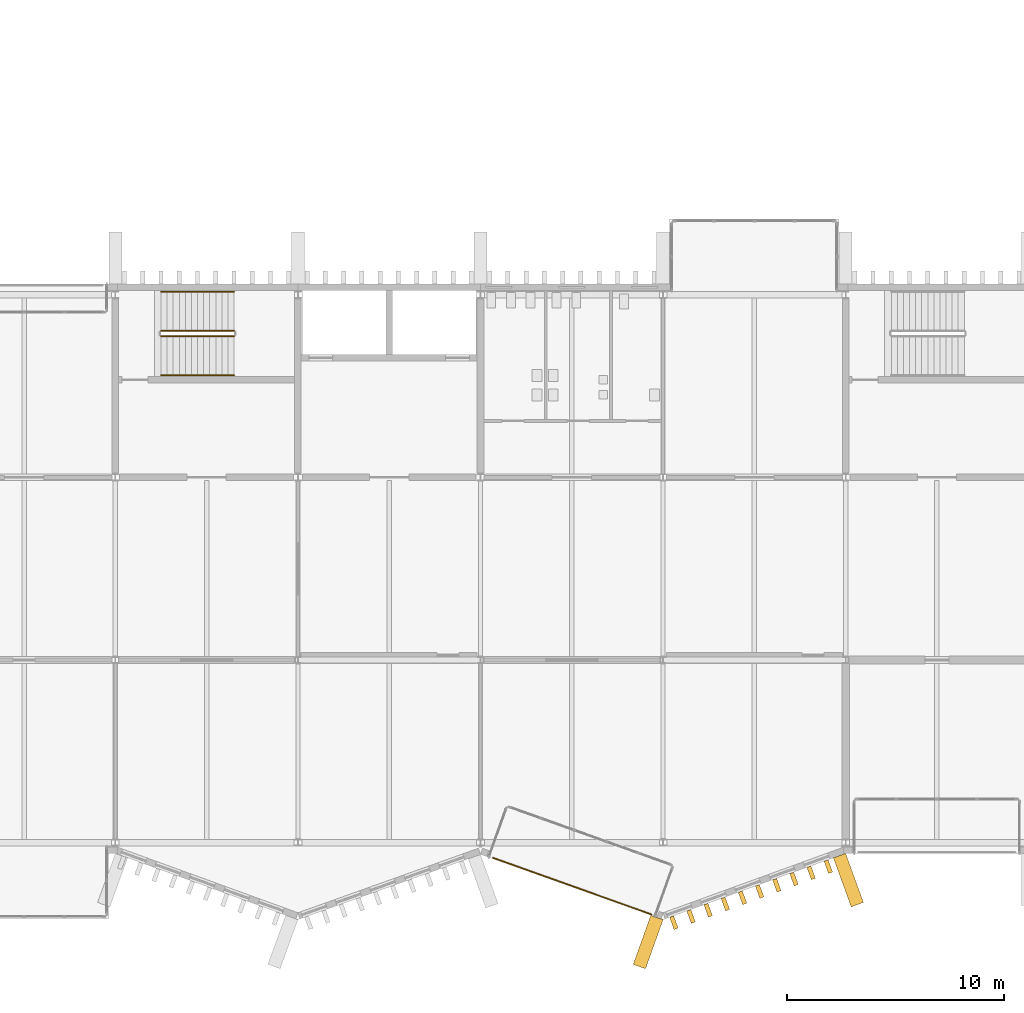
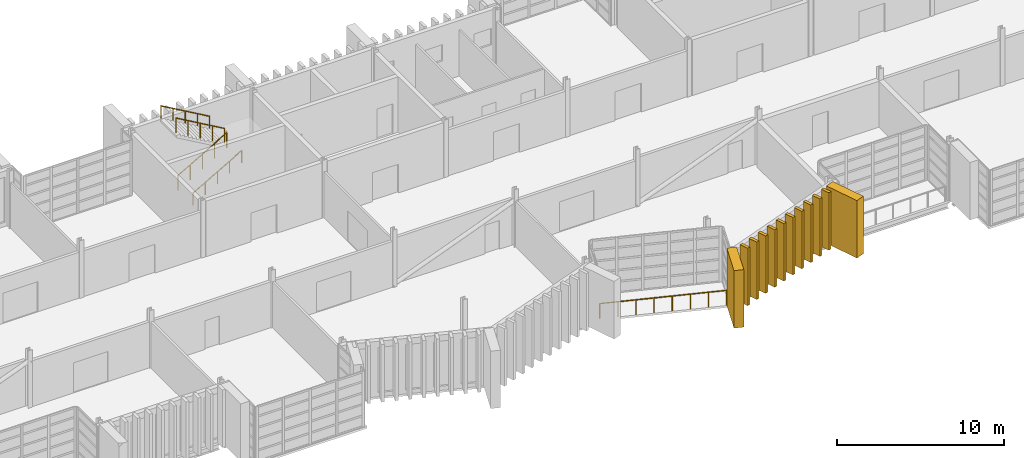
# One storey, part 93 of 100: 12 coverings, 5 railings.
"""IFC4 building model written with IfcOpenShell, lengths in metres."""

from ifc_helpers import new_model, si_unit, direction, frame, origin, origin_2d, place, context, subcontext, project, spatial, rectangle, circle, extrude, material, type_object, element, save


model = new_model("IFC4")

# Units and contexts
model_context = context("Model", 3, precision=1e-05, world=origin(), true_north=direction((0.0, 1.0)))
body_context = subcontext(model_context, "Body", "Model", "MODEL_VIEW")
ifc_project = project(units=[si_unit("LENGTHUNIT", "METRE"), si_unit("AREAUNIT", "SQUARE_METRE"), si_unit("VOLUMEUNIT", "CUBIC_METRE"), si_unit("PLANEANGLEUNIT", "RADIAN"), si_unit("MASSUNIT", "GRAM", prefix="KILO")], contexts=[model_context])

# Site, building, storey
site_placement = place(None, origin())
site = spatial("IfcSite", under=ifc_project, at=site_placement, CompositionType="ELEMENT")
building_placement = place(site_placement, origin())
building = spatial("IfcBuilding", under=site, at=building_placement, Name="Cresset Court Congress Hotel", CompositionType="ELEMENT")
storey_placement = place(building_placement, frame((0.0, 0.0, 10.199951171875)))
storey = spatial("IfcBuildingStorey", under=building, at=storey_placement, Name="L02", CompositionType="ELEMENT", Elevation=10.199951171875)

# Railings
ifc_material_1 = material(Name="Steel and laminated glass", Category="steel")
railing_type_1 = type_object("IfcRailingType", Name="Guard 1100 steel and glass", PredefinedType="GUARDRAIL", material=ifc_material_1)
railing_1_placement = place(storey_placement, frame((102.89990234375, 23.300048828125, 0.16162109375)))
element("IfcRailing", 1, at=railing_1_placement, inside=storey, type_object=railing_type_1, Name="L02 ST-B4 stair guard 1", PredefinedType="GUARDRAIL", context=body_context, shape_type="SweptSolid", body=[
    extrude(circle(Radius=0.02392578125, at=origin_2d()), frame((0.0, 0.0, 1.076171875), z_axis=(0.866190824863, 0.0, 0.499713372768), x_axis=(0.0, 1.0, 0.0)), (0.0, 0.0, 1.0), 3.879150390625),
    extrude(circle(Radius=0.02099609375, at=origin_2d()), origin(), (0.0, 0.0, 1.0), 1.052001953125),
    extrude(circle(Radius=0.02099609375, at=origin_2d()), frame((0.840087890625, 0.0, 0.484619140625)), (0.0, 0.0, 1.0), 1.052001953125),
    extrude(circle(Radius=0.02099609375, at=origin_2d()), frame((1.68017578125, 0.0, 0.96923828125)), (0.0, 0.0, 1.0), 1.052001953125),
    extrude(circle(Radius=0.02099609375, at=origin_2d()), frame((2.52001953125, 0.0, 1.453857421875)), (0.0, 0.0, 1.0), 1.052001953125),
    extrude(circle(Radius=0.02099609375, at=origin_2d()), frame((3.360107421875, 0.0, 1.9384765625)), (0.0, 0.0, 1.0), 1.052001953125),
])
railing_2_placement = place(storey_placement, frame((106.260009765625, 23.550048828125, 2.261474609375)))
element("IfcRailing", 2, at=railing_2_placement, inside=storey, type_object=railing_type_1, Name="L02 ST-B4 stair guard 3", PredefinedType="GUARDRAIL", context=body_context, shape_type="SweptSolid", body=[
    extrude(circle(Radius=0.02392578125, at=origin_2d()), frame((0.0, 0.0, 1.076171875), z_axis=(-0.866190824863, 0.0, 0.499713372768), x_axis=(0.0, -1.0, 0.0)), (0.0, 0.0, 1.0), 3.879150390625),
    extrude(circle(Radius=0.02099609375, at=origin_2d()), origin(), (0.0, 0.0, 1.0), 1.052001953125),
    extrude(circle(Radius=0.02099609375, at=origin_2d()), frame((-0.840087890625, 0.0, 0.484619140625)), (0.0, 0.0, 1.0), 1.052001953125),
    extrude(circle(Radius=0.02099609375, at=origin_2d()), frame((-1.68017578125, 0.0, 0.96923828125)), (0.0, 0.0, 1.0), 1.052001953125),
    extrude(circle(Radius=0.02099609375, at=origin_2d()), frame((-2.52001953125, 0.0, 1.453857421875)), (0.0, 0.0, 1.0), 1.052001953125),
    extrude(circle(Radius=0.02099609375, at=origin_2d()), frame((-3.360107421875, 0.0, 1.9384765625)), (0.0, 0.0, 1.0), 1.052001953125),
])
ifc_material_2 = material(Name="Steel and laminated glass", Category="steel")
railing_type_2 = type_object("IfcRailingType", Name="Guard 1100 steel and glass external", PredefinedType="GUARDRAIL", material=ifc_material_2)
railing_3_placement = place(storey_placement, frame((118.181884765625, -0.704833984375, 0.0)))
element("IfcRailing", 3, at=railing_3_placement, inside=storey, type_object=railing_type_2, Name="Guard to recess S0216", PredefinedType="GUARDRAIL", context=body_context, shape_type="SweptSolid", body=[
    extrude(circle(Radius=0.02392578125, at=origin_2d()), frame((0.0, 0.0, 1.076171875), z_axis=(0.941748351249, -0.336318365422, 0.0), x_axis=(0.336318365422, 0.941748351249, 0.0)), (0.0, 0.0, 1.0), 7.719482421875),
    extrude(circle(Radius=0.02099609375, at=origin_2d()), origin(), (0.0, 0.0, 1.0), 1.052001953125),
    extrude(circle(Radius=0.02099609375, at=origin_2d()), frame((1.03857421875, -0.370849609375, 0.0)), (0.0, 0.0, 1.0), 1.052001953125),
    extrude(circle(Radius=0.02099609375, at=origin_2d()), frame((2.0771484375, -0.74169921875, 0.0)), (0.0, 0.0, 1.0), 1.052001953125),
    extrude(circle(Radius=0.02099609375, at=origin_2d()), frame((3.11572265625, -1.112548828125, 0.0)), (0.0, 0.0, 1.0), 1.052001953125),
    extrude(circle(Radius=0.02099609375, at=origin_2d()), frame((4.154052734375, -1.483642578125, 0.0)), (0.0, 0.0, 1.0), 1.052001953125),
    extrude(circle(Radius=0.02099609375, at=origin_2d()), frame((5.192626953125, -1.8544921875, 0.0)), (0.0, 0.0, 1.0), 1.052001953125),
    extrude(circle(Radius=0.02099609375, at=origin_2d()), frame((6.231201171875, -2.225341796875, 0.0)), (0.0, 0.0, 1.0), 1.052001953125),
    extrude(circle(Radius=0.02099609375, at=origin_2d()), frame((7.269775390625, -2.59619140625, 0.0)), (0.0, 0.0, 1.0), 1.052001953125),
])
ifc_material_3 = material(Name="Stainless steel", Category="steel")
railing_type_3 = type_object("IfcRailingType", Name="Handrail 48 stainless", PredefinedType="HANDRAIL", material=ifc_material_3)
railing_4_placement = place(storey_placement, frame((102.89990234375, 21.5, 0.16162109375)))
element("IfcRailing", 4, at=railing_4_placement, inside=storey, type_object=railing_type_3, Name="L02 ST-B4 stair handrail 1", PredefinedType="HANDRAIL", context=body_context, shape_type="SweptSolid", body=[
    extrude(circle(Radius=0.02392578125, at=origin_2d()), frame((0.0, 0.0, 0.8759765625), z_axis=(0.866190824863, 0.0, 0.499713372768), x_axis=(0.0, 1.0, 0.0)), (0.0, 0.0, 1.0), 3.879150390625),
    extrude(circle(Radius=0.02099609375, at=origin_2d()), origin(), (0.0, 0.0, 1.0), 0.851806640625),
    extrude(circle(Radius=0.02099609375, at=origin_2d()), frame((0.840087890625, 0.0, 0.484619140625)), (0.0, 0.0, 1.0), 0.851806640625),
    extrude(circle(Radius=0.02099609375, at=origin_2d()), frame((1.68017578125, 0.0, 0.96923828125)), (0.0, 0.0, 1.0), 0.851806640625),
    extrude(circle(Radius=0.02099609375, at=origin_2d()), frame((2.52001953125, 0.0, 1.453857421875)), (0.0, 0.0, 1.0), 0.851806640625),
    extrude(circle(Radius=0.02099609375, at=origin_2d()), frame((3.360107421875, 0.0, 1.9384765625)), (0.0, 0.0, 1.0), 0.851806640625),
])
railing_5_placement = place(storey_placement, frame((106.260009765625, 25.35009765625, 2.261474609375)))
element("IfcRailing", 5, at=railing_5_placement, inside=storey, type_object=railing_type_3, Name="L02 ST-B4 stair handrail 2", PredefinedType="HANDRAIL", context=body_context, shape_type="SweptSolid", body=[
    extrude(circle(Radius=0.02392578125, at=origin_2d()), frame((0.0, 0.0, 0.8759765625), z_axis=(-0.866190824863, 0.0, 0.499713372768), x_axis=(0.0, -1.0, 0.0)), (0.0, 0.0, 1.0), 3.879150390625),
    extrude(circle(Radius=0.02099609375, at=origin_2d()), origin(), (0.0, 0.0, 1.0), 0.851806640625),
    extrude(circle(Radius=0.02099609375, at=origin_2d()), frame((-0.840087890625, 0.0, 0.484619140625)), (0.0, 0.0, 1.0), 0.851806640625),
    extrude(circle(Radius=0.02099609375, at=origin_2d()), frame((-1.68017578125, 0.0, 0.96923828125)), (0.0, 0.0, 1.0), 0.851806640625),
    extrude(circle(Radius=0.02099609375, at=origin_2d()), frame((-2.52001953125, 0.0, 1.453857421875)), (0.0, 0.0, 1.0), 0.851806640625),
    extrude(circle(Radius=0.02099609375, at=origin_2d()), frame((-3.360107421875, 0.0, 1.9384765625)), (0.0, 0.0, 1.0), 0.851806640625),
])

# Coverings
ifc_material_4 = material(Name="Precast concrete C50", Category="concrete")
covering_type_1 = type_object("IfcCoveringType", Name="Precast stone fin 200x600 variant 1", PredefinedType="CLADDING", material=ifc_material_4)
for number, where, z_axis, x_axis, name in (
    (6, (126.4970703125, -3.688720703125, 0.0), (0.0, 0.0, 1.0), (0.939956783309, 0.341293488819, 0.0), "Fin S02-140"),
    (7, (127.28662109375, -3.40185546875, 0.0), (0.0, 0.0, 1.0), (0.939956783309, 0.341293488819, 0.0), "Fin S02-141"),
    (8, (128.076416015625, -3.115234375, 0.0), (0.0, 0.0, 1.0), (0.939956783309, 0.341293488819, 0.0), "Fin S02-142"),
    (9, (128.865966796875, -2.82861328125, 0.0), (0.0, 0.0, 1.0), (0.939956783309, 0.341293488819, 0.0), "Fin S02-143"),
    (10, (129.655517578125, -2.5419921875, 0.0), (0.0, 0.0, 1.0), (0.939956783309, 0.341293488819, 0.0), "Fin S02-144"),
    (11, (130.445068359375, -2.255126953125, 0.0), (0.0, 0.0, 1.0), (0.939956783309, 0.341293488819, 0.0), "Fin S02-145"),
    (12, (131.234619140625, -1.968505859375, 0.0), (0.0, 0.0, 1.0), (0.939956783309, 0.341293488819, 0.0), "Fin S02-146"),
    (13, (132.024169921875, -1.681884765625, 0.0), (0.0, 0.0, 1.0), (0.939956783309, 0.341293488819, 0.0), "Fin S02-147"),
    (14, (132.813720703125, -1.395263671875, 0.0), (0.0, 0.0, 1.0), (0.939956783309, 0.341293488819, 0.0), "Fin S02-148"),
    (15, (133.603271484375, -1.1083984375, 0.0), (0.0, 0.0, 1.0), (0.939956783309, 0.341293488819, 0.0), "Fin S02-149"),
):
    element("IfcCovering", number, at=place(storey_placement, frame(where, z_axis=z_axis, x_axis=x_axis)), inside=storey, type_object=covering_type_1, Name=name, PredefinedType="CLADDING", context=body_context, shape_type="SweptSolid", body=[
        extrude(rectangle(XDim=0.199951171875, YDim=0.60009765625, at=origin_2d()), origin(), (0.0, 0.0, 1.0), 4.199951171875),
    ])
ifc_material_5 = material(Name="Precast concrete C50", Category="concrete")
covering_type_2 = type_object("IfcCoveringType", Name="Precast stone pier 600x2400", PredefinedType="CLADDING", material=ifc_material_5)
for number, where, z_axis, x_axis, name in (
    (16, (125.31396484375, -4.5791015625, 0.0), (0.0, 0.0, 1.0), (0.94174205282, -0.336336001568, 0.0), "Pier S02-14"),
    (17, (134.527587890625, -1.730224609375, 0.0), (0.0, 0.0, 1.0), (0.939956783309, 0.341293488819, 0.0), "Pier S02-15"),
):
    element("IfcCovering", number, at=place(storey_placement, frame(where, z_axis=z_axis, x_axis=x_axis)), inside=storey, type_object=covering_type_2, Name=name, PredefinedType="CLADDING", context=body_context, shape_type="SweptSolid", body=[
        extrude(rectangle(XDim=0.60009765625, YDim=2.39990234375, at=origin_2d()), origin(), (0.0, 0.0, 1.0), 4.199951171875),
    ])

save(model, "model.ifc")
